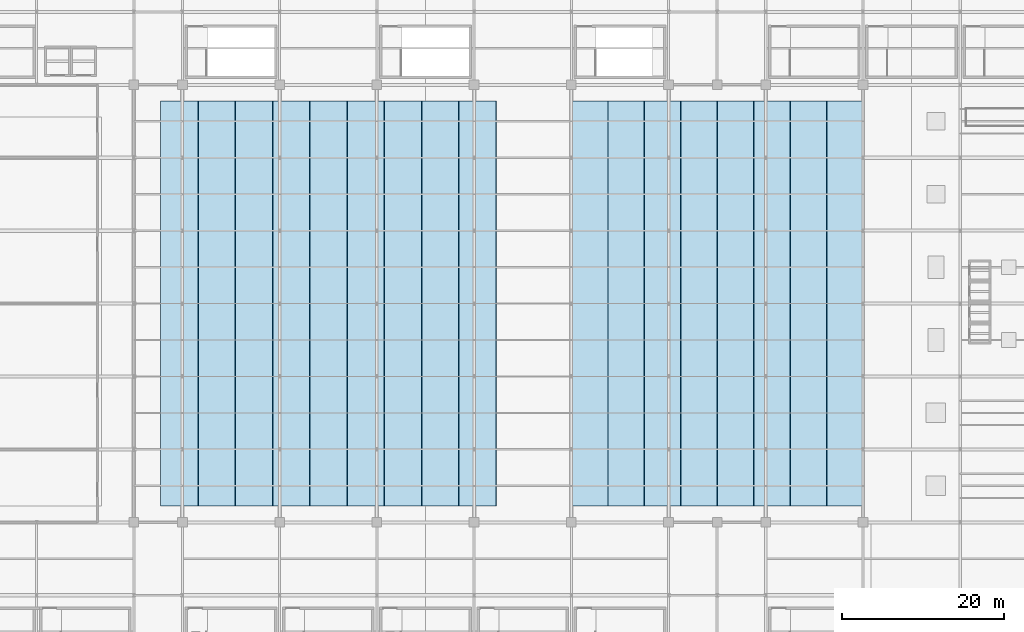
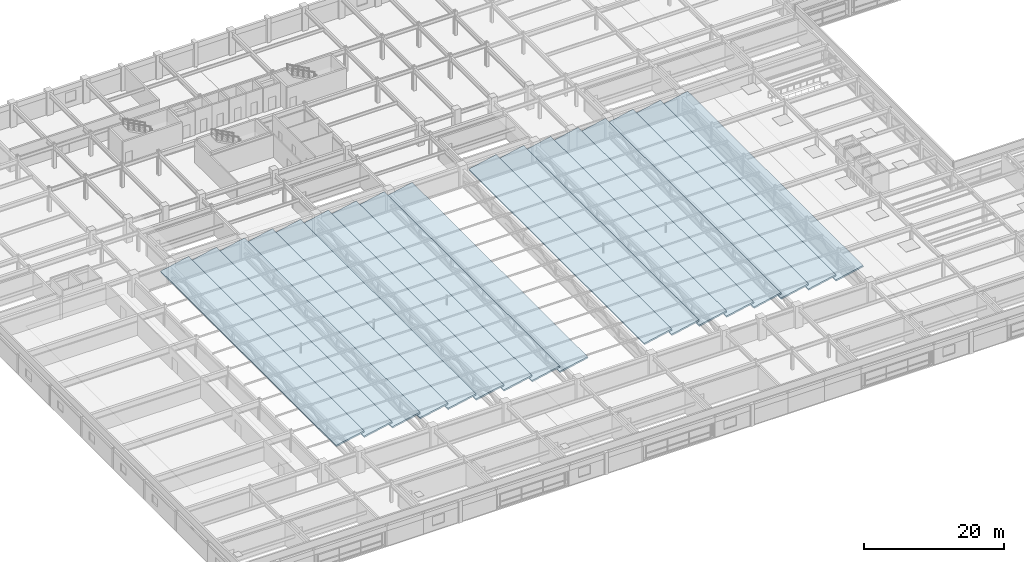
# One storey, part 100 of 108: 17 roofs.
"""IFC4 building model written with IfcOpenShell, lengths in metres."""

from ifc_helpers import new_model, si_unit, direction, frame, origin, place, context, subcontext, project, spatial, polyline, outline, extrude, material, layer, layer_set, type_object, element, save


model = new_model("IFC4")

# Units and contexts
model_context = context("Model", 3, precision=1e-05, world=origin(), true_north=direction((0.0, 1.0)))
body_context = subcontext(model_context, "Body", "Model", "MODEL_VIEW")
ifc_project = project(units=[si_unit("LENGTHUNIT", "METRE"), si_unit("AREAUNIT", "SQUARE_METRE"), si_unit("VOLUMEUNIT", "CUBIC_METRE"), si_unit("PLANEANGLEUNIT", "RADIAN"), si_unit("MASSUNIT", "GRAM", prefix="KILO")], contexts=[model_context])

# Site, building, storey
site_placement = place(None, origin())
site = spatial("IfcSite", under=ifc_project, at=site_placement, CompositionType="ELEMENT")
building_placement = place(site_placement, origin())
building = spatial("IfcBuilding", under=site, at=building_placement, Name="Kaldorvane Square Convention Centre", CompositionType="ELEMENT")
storey_placement = place(building_placement, frame((0.0, 0.0, 23.399993896484375)))
storey = spatial("IfcBuildingStorey", under=building, at=storey_placement, Name="L04", CompositionType="ELEMENT", Elevation=23.399993896484375)

# Roofs
ifc_material = material(Name="Concrete f'c = 42 MPa (Normalweight)", Category="concrete")
ifc_layer = layer(ifc_material, 0.2599945068359375)
ifc_layer_set = layer_set([ifc_layer], Name="Concrete f'c = 42 MPa (Normalweight)")
roof_type = type_object("IfcRoofType", Name="RF-SHED-260", PredefinedType="SHED_ROOF", material=ifc_layer_set)
roof_1_placement = place(storey_placement, frame((27.300003051757812, 20.0, 4.10400390625), z_axis=(-0.20143683323, 0.0, 0.979501507002), x_axis=(0.979501507002, 0.0, 0.20143683323)))
element("IfcRoof", 1, at=roof_1_placement, inside=storey, type_object=roof_type, Name="Hall Sawtooth Acoustic Monitor Roof 01", PredefinedType="SHED_ROOF", context=body_context, shape_type="SweptSolid", body=[
    extrude(outline(polyline([(0.0, 0.0), (4.696257036712291, 0.0), (4.696257036712291, 50.0), (0.0, 50.0), (0.0, 0.0)])), origin(), (0.0, 0.0, -1.0), 0.2599945068359375),
])
for number, where, z_axis, x_axis, name in (
    (2, (31.899993896484375, 20.0, 4.10400390625), (-0.201436192152, 0.0, 0.979501638841), (0.979501638841, 0.0, 0.201436192152), "Hall Sawtooth Acoustic Monitor Roof 02"),
    (3, (36.5, 20.0, 4.10400390625), (-0.201436192152, 0.0, 0.979501638841), (0.979501638841, 0.0, 0.201436192152), "Hall Sawtooth Acoustic Monitor Roof 03"),
):
    element("IfcRoof", number, at=place(storey_placement, frame(where, z_axis=z_axis, x_axis=x_axis)), inside=storey, type_object=roof_type, Name=name, PredefinedType="SHED_ROOF", context=body_context, shape_type="SweptSolid", body=[
        extrude(outline(polyline([(0.0, 0.0), (4.696271982720178, 0.0), (4.696271982720178, 50.0), (0.0, 50.0), (0.0, 0.0)])), origin(), (0.0, 0.0, -1.0), 0.2599945068359375),
    ])
roof_2_placement = place(storey_placement, frame((41.100006103515625, 20.0, 4.10400390625), z_axis=(-0.20143683323, 0.0, 0.979501507002), x_axis=(0.979501507002, 0.0, 0.20143683323)))
element("IfcRoof", 4, at=roof_2_placement, inside=storey, type_object=roof_type, Name="Hall Sawtooth Acoustic Monitor Roof 04", PredefinedType="SHED_ROOF", context=body_context, shape_type="SweptSolid", body=[
    extrude(outline(polyline([(0.0, 0.0), (4.696257036712291, 0.0), (4.696257036712291, 50.0), (0.0, 50.0), (0.0, 0.0)])), origin(), (0.0, 0.0, -1.0), 0.2599945068359375),
])
roof_3_placement = place(storey_placement, frame((45.69999694824219, 20.0, 4.10400390625), z_axis=(-0.201436192152, 0.0, 0.979501638841), x_axis=(0.979501638841, 0.0, 0.201436192152)))
element("IfcRoof", 5, at=roof_3_placement, inside=storey, type_object=roof_type, Name="Hall Sawtooth Acoustic Monitor Roof 05", PredefinedType="SHED_ROOF", context=body_context, shape_type="SweptSolid", body=[
    extrude(outline(polyline([(0.0, 0.0), (4.696271982720178, 0.0), (4.696271982720178, 50.0), (0.0, 50.0), (0.0, 0.0)])), origin(), (0.0, 0.0, -1.0), 0.2599945068359375),
])
roof_4_placement = place(storey_placement, frame((50.30000305175781, 20.0, 4.10400390625), z_axis=(-0.20143683323, 0.0, 0.979501507002), x_axis=(0.979501507002, 0.0, 0.20143683323)))
element("IfcRoof", 6, at=roof_4_placement, inside=storey, type_object=roof_type, Name="Hall Sawtooth Acoustic Monitor Roof 06", PredefinedType="SHED_ROOF", context=body_context, shape_type="SweptSolid", body=[
    extrude(outline(polyline([(0.0, 0.0), (4.696257036712291, 0.0), (4.696257036712291, 50.0), (0.0, 50.0), (0.0, 0.0)])), origin(), (0.0, 0.0, -1.0), 0.2599945068359375),
])
for number, where, z_axis, x_axis, name in (
    (7, (54.899993896484375, 20.0, 4.10400390625), (-0.201436192152, 0.0, 0.979501638841), (0.979501638841, 0.0, 0.201436192152), "Hall Sawtooth Acoustic Monitor Roof 07"),
    (8, (59.5, 20.0, 4.10400390625), (-0.201436192152, 0.0, 0.979501638841), (0.979501638841, 0.0, 0.201436192152), "Hall Sawtooth Acoustic Monitor Roof 08"),
):
    element("IfcRoof", number, at=place(storey_placement, frame(where, z_axis=z_axis, x_axis=x_axis)), inside=storey, type_object=roof_type, Name=name, PredefinedType="SHED_ROOF", context=body_context, shape_type="SweptSolid", body=[
        extrude(outline(polyline([(0.0, 0.0), (4.696271982720178, 0.0), (4.696271982720178, 50.0), (0.0, 50.0), (0.0, 0.0)])), origin(), (0.0, 0.0, -1.0), 0.2599945068359375),
    ])
roof_5_placement = place(storey_placement, frame((64.10000610351562, 20.0, 4.10400390625), z_axis=(-0.20143683323, 0.0, 0.979501507002), x_axis=(0.979501507002, 0.0, 0.20143683323)))
element("IfcRoof", 9, at=roof_5_placement, inside=storey, type_object=roof_type, Name="Hall Sawtooth Acoustic Monitor Roof 09", PredefinedType="SHED_ROOF", context=body_context, shape_type="SweptSolid", body=[
    extrude(outline(polyline([(0.0, 0.0), (4.696257036712291, 0.0), (4.696257036712291, 50.0), (0.0, 50.0), (0.0, 0.0)])), origin(), (0.0, 0.0, -1.0), 0.2599945068359375),
])
for number, where, z_axis, x_axis, name in (
    (10, (78.0, 20.0, 4.10400390625), (-0.205725335198, 0.0, 0.978609772309), (0.978609772309, 0.0, 0.205725335198), "Hall Sawtooth Acoustic Monitor Roof 10"),
    (11, (82.5, 20.0, 4.10400390625), (-0.205725335198, 0.0, 0.978609772309), (0.978609772309, 0.0, 0.205725335198), "Hall Sawtooth Acoustic Monitor Roof 11"),
    (12, (87.0, 20.0, 4.10400390625), (-0.205725335198, 0.0, 0.978609772309), (0.978609772309, 0.0, 0.205725335198), "Hall Sawtooth Acoustic Monitor Roof 12"),
    (13, (91.5, 20.0, 4.10400390625), (-0.205725335198, 0.0, 0.978609772309), (0.978609772309, 0.0, 0.205725335198), "Hall Sawtooth Acoustic Monitor Roof 13"),
    (14, (96.0, 20.0, 4.10400390625), (-0.205725335198, 0.0, 0.978609772309), (0.978609772309, 0.0, 0.205725335198), "Hall Sawtooth Acoustic Monitor Roof 14"),
    (15, (100.5, 20.0, 4.10400390625), (-0.205725335198, 0.0, 0.978609772309), (0.978609772309, 0.0, 0.205725335198), "Hall Sawtooth Acoustic Monitor Roof 15"),
    (16, (105.0, 20.0, 4.10400390625), (-0.205725335198, 0.0, 0.978609772309), (0.978609772309, 0.0, 0.205725335198), "Hall Sawtooth Acoustic Monitor Roof 16"),
    (17, (109.5, 20.0, 4.10400390625), (-0.205725335198, 0.0, 0.978609772309), (0.978609772309, 0.0, 0.205725335198), "Hall Sawtooth Acoustic Monitor Roof 17"),
):
    element("IfcRoof", number, at=place(storey_placement, frame(where, z_axis=z_axis, x_axis=x_axis)), inside=storey, type_object=roof_type, Name=name, PredefinedType="SHED_ROOF", context=body_context, shape_type="SweptSolid", body=[
        extrude(outline(polyline([(0.0, 0.0), (4.5983599666948125, 0.0), (4.5983599666948125, 50.0), (0.0, 50.0), (0.0, 0.0)])), origin(), (0.0, 0.0, -1.0), 0.2599945068359375),
    ])

save(model, "model.ifc")
